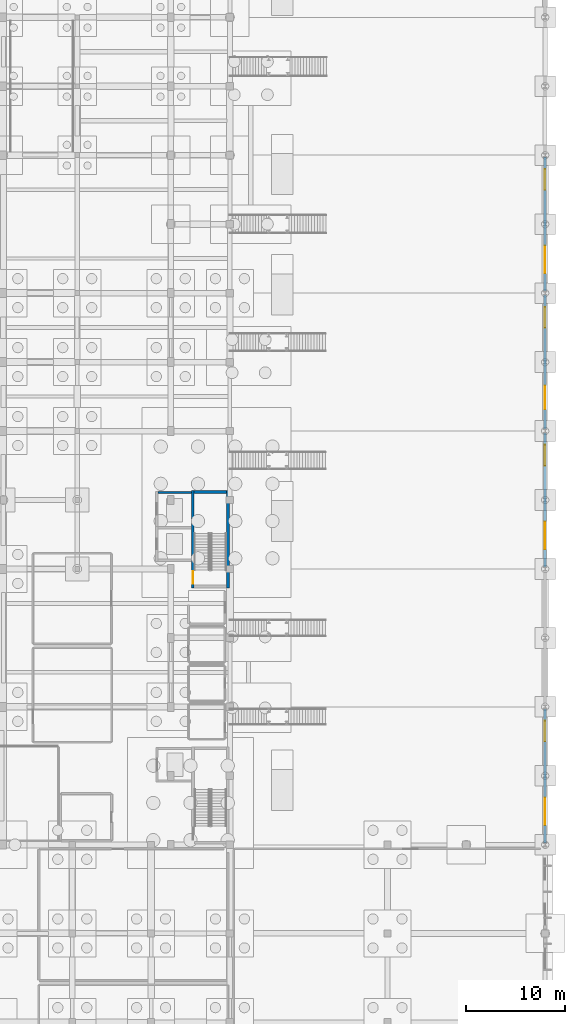
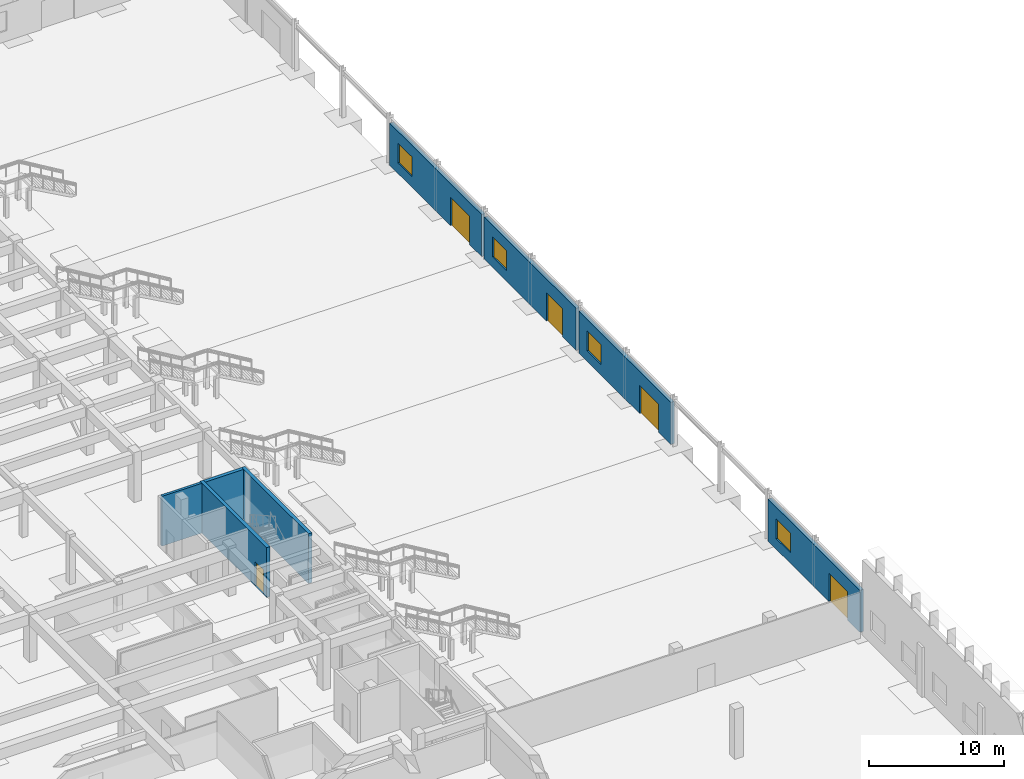
# One storey, part 62 of 84: 8 walls, 5 doors, 4 windows, 9 openings.
"""IFC4 building model written with IfcOpenShell, lengths in metres."""

from ifc_helpers import new_model, si_unit, direction, frame, frame_2d, origin, place, context, subcontext, project, spatial, rectangle, extrude, material, layer, layer_set, type_object, element, fill, save


model = new_model("IFC4")

# Units and contexts
model_context = context("Model", 3, precision=1e-05, world=origin(), true_north=direction((0.0, 1.0)))
body_context = subcontext(model_context, "Body", "Model", "MODEL_VIEW")
ifc_project = project(units=[si_unit("LENGTHUNIT", "METRE"), si_unit("AREAUNIT", "SQUARE_METRE"), si_unit("VOLUMEUNIT", "CUBIC_METRE"), si_unit("PLANEANGLEUNIT", "RADIAN"), si_unit("MASSUNIT", "GRAM", prefix="KILO")], contexts=[model_context])

# Site, building, storey
site_placement = place(None, origin())
site = spatial("IfcSite", under=ifc_project, at=site_placement, CompositionType="ELEMENT")
building_placement = place(site_placement, origin())
building = spatial("IfcBuilding", under=site, at=building_placement, Name="Larkveld Mobility Hub", CompositionType="ELEMENT")
storey_placement = place(building_placement, origin())
storey = spatial("IfcBuildingStorey", under=building, at=storey_placement, Name="L00", CompositionType="ELEMENT", Elevation=0.0)

# Wall, openings, door, window
ifc_material_1 = material(Name="Precast concrete C50/60", Category="concrete")
ifc_layer_1 = layer(ifc_material_1, 0.300048828125, Name="Precast concrete C50/60", Category="concrete")
ifc_layer_set_1 = layer_set([ifc_layer_1], Name="Precast concrete C50/60")
wall_type_1 = type_object("IfcWallType", Name="WL-EXT-300", PredefinedType="SOLIDWALL", material=ifc_layer_set_1)
wall_1_placement = place(storey_placement, frame((184.0, 28.196044921875, 0.0), z_axis=(0.0, 0.0, 1.0), x_axis=(0.0, 1.0, 0.0)))
wall_1 = element("IfcWall", 1, at=wall_1_placement, inside=storey, type_object=wall_type_1, Name="Bus Boarding Apron Wall L00-0175", PredefinedType="SOLIDWALL", context=body_context, shape_type="SweptSolid", body=[
    extrude(rectangle(XDim=13.60791015625, YDim=0.300048828125, at=frame_2d((6.803955078125, 0.0))), origin(), (0.0, 0.0, 1.0), 3.794921875),
])
opening_1_placement = place(wall_1_placement, frame((1.803955078125, 0.0, 0.0)))
opening_1 = element("IfcOpeningElement", 2, at=opening_1_placement, cuts=wall_1, Name="Opening ED05", PredefinedType="OPENING", context=body_context, shape_type="SweptSolid", body=[
    extrude(rectangle(XDim=2.800048828125, YDim=2.550048828125, at=frame_2d((1.39990234375, 1.27490234375))), frame((0.0, 0.16015625, 0.0), z_axis=(0.0, -1.0, 0.0), x_axis=(1.0, 0.0, 0.0)), (0.0, 0.0, 1.0), 0.320068359375),
])
opening_2_placement = place(wall_1_placement, frame((10.2900390625, 0.0, 0.949951171875)))
opening_2 = element("IfcOpeningElement", 3, at=opening_2_placement, cuts=wall_1, Name="Opening W13", PredefinedType="OPENING", context=body_context, shape_type="SweptSolid", body=[
    extrude(rectangle(XDim=2.10009765625, YDim=1.800048828125, at=frame_2d((1.050048828125, 0.89990234375))), frame((0.0, 0.16015625, 0.0), z_axis=(0.0, -1.0, 0.0), x_axis=(1.0, 0.0, 0.0)), (0.0, 0.0, 1.0), 0.320068359375),
])
ifc_material_2 = material(Name="Automatic sliding intermodal portal door", Category="aluminium")
door_type_1 = type_object("IfcDoorType", Name="DR-EXT-SL28", OperationType="DOUBLE_DOOR_SLIDING", PredefinedType="DOOR", material=ifc_material_2)
door_1_placement = place(opening_1_placement, origin())
door_1 = element("IfcDoor", 4, at=door_1_placement, inside=storey, type_object=door_type_1, Name="Bus Gate Boarding Door BG-1 EDR-L00-006", OperationType="DOUBLE_DOOR_SLIDING", OverallHeight=2.550048828125, OverallWidth=2.800048828125, PredefinedType="DOOR", context=body_context, shape_type="SweptSolid", body=[
    extrude(rectangle(XDim=2.800048828125, YDim=2.550048828125, at=frame_2d((1.39990234375, 1.27490234375))), frame((0.0, 0.02490234375, 0.0), z_axis=(0.0, -1.0, 0.0), x_axis=(1.0, 0.0, 0.0)), (0.0, 0.0, 1.0), 0.050048828125),
])
fill(opening_1, door_1)
ifc_material_3 = material(Name="Low-E double glazing in aluminium frame", Category="aluminium")
window_type = type_object("IfcWindowType", Name="WN-ALU-13", PartitioningType="SINGLE_PANEL", PredefinedType="WINDOW", material=ifc_material_3)
window_1_placement = place(opening_2_placement, origin())
window_1 = element("IfcWindow", 5, at=window_1_placement, inside=storey, type_object=window_type, Name="Window W13 (0826)", OverallHeight=1.800048828125, OverallWidth=2.10009765625, PartitioningType="SINGLE_PANEL", PredefinedType="WINDOW", context=body_context, shape_type="SweptSolid", body=[
    extrude(rectangle(XDim=2.10009765625, YDim=1.800048828125, at=frame_2d((1.050048828125, 0.89990234375))), frame((0.0, 0.030029296875, 0.0), z_axis=(0.0, -1.0, 0.0), x_axis=(1.0, 0.0, 0.0)), (0.0, 0.0, 1.0), 0.06005859375),
])
fill(opening_2, window_1)

wall_2_placement = place(storey_placement, frame((184.0, 56.196044921875, 0.0), z_axis=(0.0, 0.0, 1.0), x_axis=(0.0, 1.0, 0.0)))
wall_2 = element("IfcWall", 6, at=wall_2_placement, inside=storey, type_object=wall_type_1, Name="Bus Boarding Apron Wall L00-0176", PredefinedType="SOLIDWALL", context=body_context, shape_type="SweptSolid", body=[
    extrude(rectangle(XDim=13.60791015625, YDim=0.300048828125, at=frame_2d((6.803955078125, 0.0))), origin(), (0.0, 0.0, 1.0), 3.794921875),
])
opening_3_placement = place(wall_2_placement, frame((1.803955078125, 0.0, 0.0)))
opening_3 = element("IfcOpeningElement", 7, at=opening_3_placement, cuts=wall_2, Name="Opening ED05", PredefinedType="OPENING", context=body_context, shape_type="SweptSolid", body=[
    extrude(rectangle(XDim=2.800048828125, YDim=2.550048828125, at=frame_2d((1.39990234375, 1.27490234375))), frame((0.0, 0.16015625, 0.0), z_axis=(0.0, -1.0, 0.0), x_axis=(1.0, 0.0, 0.0)), (0.0, 0.0, 1.0), 0.320068359375),
])
opening_4_placement = place(wall_2_placement, frame((10.2900390625, 0.0, 0.949951171875)))
opening_4 = element("IfcOpeningElement", 8, at=opening_4_placement, cuts=wall_2, Name="Opening W13", PredefinedType="OPENING", context=body_context, shape_type="SweptSolid", body=[
    extrude(rectangle(XDim=2.10009765625, YDim=1.800048828125, at=frame_2d((1.050048828125, 0.89990234375))), frame((0.0, 0.16015625, 0.0), z_axis=(0.0, -1.0, 0.0), x_axis=(1.0, 0.0, 0.0)), (0.0, 0.0, 1.0), 0.320068359375),
])
door_2_placement = place(opening_3_placement, origin())
door_2 = element("IfcDoor", 9, at=door_2_placement, inside=storey, type_object=door_type_1, Name="Bus Gate Boarding Door BG-3 EDR-L00-007", OperationType="DOUBLE_DOOR_SLIDING", OverallHeight=2.550048828125, OverallWidth=2.800048828125, PredefinedType="DOOR", context=body_context, shape_type="SweptSolid", body=[
    extrude(rectangle(XDim=2.800048828125, YDim=2.550048828125, at=frame_2d((1.39990234375, 1.27490234375))), frame((0.0, 0.02490234375, 0.0), z_axis=(0.0, -1.0, 0.0), x_axis=(1.0, 0.0, 0.0)), (0.0, 0.0, 1.0), 0.050048828125),
])
fill(opening_3, door_2)
window_2_placement = place(opening_4_placement, origin())
window_2 = element("IfcWindow", 10, at=window_2_placement, inside=storey, type_object=window_type, Name="Window W13 (0827)", OverallHeight=1.800048828125, OverallWidth=2.10009765625, PartitioningType="SINGLE_PANEL", PredefinedType="WINDOW", context=body_context, shape_type="SweptSolid", body=[
    extrude(rectangle(XDim=2.10009765625, YDim=1.800048828125, at=frame_2d((1.050048828125, 0.89990234375))), frame((0.0, 0.030029296875, 0.0), z_axis=(0.0, -1.0, 0.0), x_axis=(1.0, 0.0, 0.0)), (0.0, 0.0, 1.0), 0.06005859375),
])
fill(opening_4, window_2)

wall_3_placement = place(storey_placement, frame((184.0, 70.196044921875, 0.0), z_axis=(0.0, 0.0, 1.0), x_axis=(0.0, 1.0, 0.0)))
wall_3 = element("IfcWall", 11, at=wall_3_placement, inside=storey, type_object=wall_type_1, Name="Bus Boarding Apron Wall L00-0177", PredefinedType="SOLIDWALL", context=body_context, shape_type="SweptSolid", body=[
    extrude(rectangle(XDim=13.60791015625, YDim=0.300048828125, at=frame_2d((6.803955078125, 0.0))), origin(), (0.0, 0.0, 1.0), 3.794921875),
])
opening_5_placement = place(wall_3_placement, frame((2.00390625, 0.0, 0.0)))
opening_5 = element("IfcOpeningElement", 12, at=opening_5_placement, cuts=wall_3, Name="Opening ED03", PredefinedType="OPENING", context=body_context, shape_type="SweptSolid", body=[
    extrude(rectangle(XDim=2.39990234375, YDim=2.550048828125, at=frame_2d((1.199951171875, 1.27490234375))), frame((0.0, 0.16015625, 0.0), z_axis=(0.0, -1.0, 0.0), x_axis=(1.0, 0.0, 0.0)), (0.0, 0.0, 1.0), 0.320068359375),
])
opening_6_placement = place(wall_3_placement, frame((10.2900390625, 0.0, 0.949951171875)))
opening_6 = element("IfcOpeningElement", 13, at=opening_6_placement, cuts=wall_3, Name="Opening W13", PredefinedType="OPENING", context=body_context, shape_type="SweptSolid", body=[
    extrude(rectangle(XDim=2.10009765625, YDim=1.800048828125, at=frame_2d((1.050048828125, 0.89990234375))), frame((0.0, 0.16015625, 0.0), z_axis=(0.0, -1.0, 0.0), x_axis=(1.0, 0.0, 0.0)), (0.0, 0.0, 1.0), 0.320068359375),
])
ifc_material_4 = material(Name="Anodised aluminium concourse entrance door", Category="aluminium")
door_type_2 = type_object("IfcDoorType", Name="DR-EXT-DB24", OperationType="DOUBLE_DOOR_SINGLE_SWING", PredefinedType="DOOR", material=ifc_material_4)
door_3_placement = place(opening_5_placement, origin())
door_3 = element("IfcDoor", 14, at=door_3_placement, inside=storey, type_object=door_type_2, Name="Bus Gate Boarding Door BG-4 EDR-L00-008", OperationType="DOUBLE_DOOR_SINGLE_SWING", OverallHeight=2.550048828125, OverallWidth=2.39990234375, PredefinedType="DOOR", context=body_context, shape_type="SweptSolid", body=[
    extrude(rectangle(XDim=2.39990234375, YDim=2.550048828125, at=frame_2d((1.199951171875, 1.27490234375))), frame((0.0, 0.02490234375, 0.0), z_axis=(0.0, -1.0, 0.0), x_axis=(1.0, 0.0, 0.0)), (0.0, 0.0, 1.0), 0.050048828125),
])
fill(opening_5, door_3)
window_3_placement = place(opening_6_placement, origin())
window_3 = element("IfcWindow", 15, at=window_3_placement, inside=storey, type_object=window_type, Name="Window W13 (0828)", OverallHeight=1.800048828125, OverallWidth=2.10009765625, PartitioningType="SINGLE_PANEL", PredefinedType="WINDOW", context=body_context, shape_type="SweptSolid", body=[
    extrude(rectangle(XDim=2.10009765625, YDim=1.800048828125, at=frame_2d((1.050048828125, 0.89990234375))), frame((0.0, 0.030029296875, 0.0), z_axis=(0.0, -1.0, 0.0), x_axis=(1.0, 0.0, 0.0)), (0.0, 0.0, 1.0), 0.06005859375),
])
fill(opening_6, window_3)

wall_4_placement = place(storey_placement, frame((184.0, 84.196044921875, 0.0), z_axis=(0.0, 0.0, 1.0), x_axis=(0.0, 1.0, 0.0)))
wall_4 = element("IfcWall", 16, at=wall_4_placement, inside=storey, type_object=wall_type_1, Name="Bus Boarding Apron Wall L00-0178", PredefinedType="SOLIDWALL", context=body_context, shape_type="SweptSolid", body=[
    extrude(rectangle(XDim=13.60791015625, YDim=0.300048828125, at=frame_2d((6.803955078125, 0.0))), origin(), (0.0, 0.0, 1.0), 3.794921875),
])
opening_7_placement = place(wall_4_placement, frame((1.803955078125, 0.0, 0.0)))
opening_7 = element("IfcOpeningElement", 17, at=opening_7_placement, cuts=wall_4, Name="Opening ED05", PredefinedType="OPENING", context=body_context, shape_type="SweptSolid", body=[
    extrude(rectangle(XDim=2.800048828125, YDim=2.550048828125, at=frame_2d((1.39990234375, 1.27490234375))), frame((0.0, 0.16015625, 0.0), z_axis=(0.0, -1.0, 0.0), x_axis=(1.0, 0.0, 0.0)), (0.0, 0.0, 1.0), 0.320068359375),
])
opening_8_placement = place(wall_4_placement, frame((10.2900390625, 0.0, 0.949951171875)))
opening_8 = element("IfcOpeningElement", 18, at=opening_8_placement, cuts=wall_4, Name="Opening W13", PredefinedType="OPENING", context=body_context, shape_type="SweptSolid", body=[
    extrude(rectangle(XDim=2.10009765625, YDim=1.800048828125, at=frame_2d((1.050048828125, 0.89990234375))), frame((0.0, 0.16015625, 0.0), z_axis=(0.0, -1.0, 0.0), x_axis=(1.0, 0.0, 0.0)), (0.0, 0.0, 1.0), 0.320068359375),
])
door_4_placement = place(opening_7_placement, origin())
door_4 = element("IfcDoor", 19, at=door_4_placement, inside=storey, type_object=door_type_1, Name="Bus Gate Boarding Door BG-5 EDR-L00-009", OperationType="DOUBLE_DOOR_SLIDING", OverallHeight=2.550048828125, OverallWidth=2.800048828125, PredefinedType="DOOR", context=body_context, shape_type="SweptSolid", body=[
    extrude(rectangle(XDim=2.800048828125, YDim=2.550048828125, at=frame_2d((1.39990234375, 1.27490234375))), frame((0.0, 0.02490234375, 0.0), z_axis=(0.0, -1.0, 0.0), x_axis=(1.0, 0.0, 0.0)), (0.0, 0.0, 1.0), 0.050048828125),
])
fill(opening_7, door_4)
window_4_placement = place(opening_8_placement, origin())
window_4 = element("IfcWindow", 20, at=window_4_placement, inside=storey, type_object=window_type, Name="Window W13 (0829)", OverallHeight=1.800048828125, OverallWidth=2.10009765625, PartitioningType="SINGLE_PANEL", PredefinedType="WINDOW", context=body_context, shape_type="SweptSolid", body=[
    extrude(rectangle(XDim=2.10009765625, YDim=1.800048828125, at=frame_2d((1.050048828125, 0.89990234375))), frame((0.0, 0.030029296875, 0.0), z_axis=(0.0, -1.0, 0.0), x_axis=(1.0, 0.0, 0.0)), (0.0, 0.0, 1.0), 0.06005859375),
])
fill(opening_8, window_4)

# Wall
ifc_material_5 = material(Name="Concrete C40/50", Category="concrete")
ifc_layer_2 = layer(ifc_material_5, 0.219970703125, Name="Concrete C40/50", Category="concrete")
ifc_layer_set_2 = layer_set([ifc_layer_2], Name="Concrete C40/50")
wall_type_2 = type_object("IfcWallType", Name="WL-SHF-220", PredefinedType="SHEAR", material=ifc_layer_set_2)
wall_5_placement = place(storey_placement, frame((144.679931640625, 63.760009765625, 0.0), z_axis=(0.0, 0.0, 1.0), x_axis=(1.0, 0.0, 0.0)))
element("IfcWall", 21, at=wall_5_placement, inside=storey, type_object=wall_type_2, Name="Lift FL2 Shaft Wall L00-N", PredefinedType="SHEAR", context=body_context, shape_type="SweptSolid", body=[
    extrude(rectangle(XDim=3.400146484375, YDim=0.219970703125, at=frame_2d((1.7001953125, 0.0))), origin(), (0.0, 0.0, 1.0), 4.5),
])

# Wall, opening, door
ifc_layer_3 = layer(ifc_material_5, 0.300048828125, Name="Concrete C40/50", Category="concrete")
ifc_layer_set_3 = layer_set([ifc_layer_3], Name="Concrete C40/50")
wall_type_3 = type_object("IfcWallType", Name="WL-SHR-02", PredefinedType="SHEAR", material=ifc_layer_set_3)
wall_6_placement = place(storey_placement, frame((148.22998046875, 54.050048828125, 0.0), z_axis=(0.0, 0.0, 1.0), x_axis=(0.0, 1.0, 0.0)))
wall_6 = element("IfcWall", 22, at=wall_6_placement, inside=storey, type_object=wall_type_3, Name="Core C2 Stair Shear Wall L00-W", PredefinedType="SHEAR", context=body_context, shape_type="SweptSolid", body=[
    extrude(rectangle(XDim=9.89990234375, YDim=0.300048828125, at=frame_2d((4.949951171875, 0.0))), origin(), (0.0, 0.0, 1.0), 4.5),
])
opening_9_placement = place(wall_6_placement, frame((0.449951171875, 0.0, 0.0)))
opening_9 = element("IfcOpeningElement", 23, at=opening_9_placement, cuts=wall_6, Name="Opening ED08", PredefinedType="OPENING", context=body_context, shape_type="SweptSolid", body=[
    extrude(rectangle(XDim=1.25, YDim=2.199951171875, at=frame_2d((0.625, 1.10009765625))), frame((0.0, 0.16015625, 0.0), z_axis=(0.0, -1.0, 0.0), x_axis=(1.0, 0.0, 0.0)), (0.0, 0.0, 1.0), 0.320068359375),
])
ifc_material_6 = material(Name="Galvanised steel final exit door", Category="steel")
door_type_3 = type_object("IfcDoorType", Name="DR-EXT-ESC12", OperationType="NOTDEFINED", PredefinedType="DOOR", material=ifc_material_6)
door_5_placement = place(opening_9_placement, origin())
door_5 = element("IfcDoor", 24, at=door_5_placement, inside=storey, type_object=door_type_3, Name="Stair ST2 Fire Door L00", OperationType="SINGLE_SWING_LEFT", OverallHeight=2.199951171875, OverallWidth=1.25, PredefinedType="DOOR", context=body_context, shape_type="SweptSolid", body=[
    extrude(rectangle(XDim=1.25, YDim=2.199951171875, at=frame_2d((0.625, 1.10009765625))), frame((0.0, 0.02490234375, 0.0), z_axis=(0.0, -1.0, 0.0), x_axis=(1.0, 0.0, 0.0)), (0.0, 0.0, 1.0), 0.050048828125),
])
fill(opening_9, door_5)

# Walls
wall_7_placement = place(storey_placement, frame((151.800048828125, 63.949951171875, 0.0), z_axis=(0.0, 0.0, 1.0), x_axis=(0.0, -1.0, 0.0)))
element("IfcWall", 25, at=wall_7_placement, inside=storey, type_object=wall_type_3, Name="Core C2 Stair Shear Wall L00-E", PredefinedType="SHEAR", context=body_context, shape_type="SweptSolid", body=[
    extrude(rectangle(XDim=9.89990234375, YDim=0.300048828125, at=frame_2d((4.949951171875, 0.0))), origin(), (0.0, 0.0, 1.0), 4.5),
])
wall_8_placement = place(storey_placement, frame((148.3798828125, 63.800048828125, 0.0), z_axis=(0.0, 0.0, 1.0), x_axis=(1.0, 0.0, 0.0)))
element("IfcWall", 26, at=wall_8_placement, inside=storey, type_object=wall_type_3, Name="Core C2 Stair Shear Wall L00-N", PredefinedType="SHEAR", context=body_context, shape_type="SweptSolid", body=[
    extrude(rectangle(XDim=3.27001953125, YDim=0.300048828125, at=frame_2d((1.635009765625, 0.0))), origin(), (0.0, 0.0, 1.0), 4.5),
])

save(model, "model.ifc")
